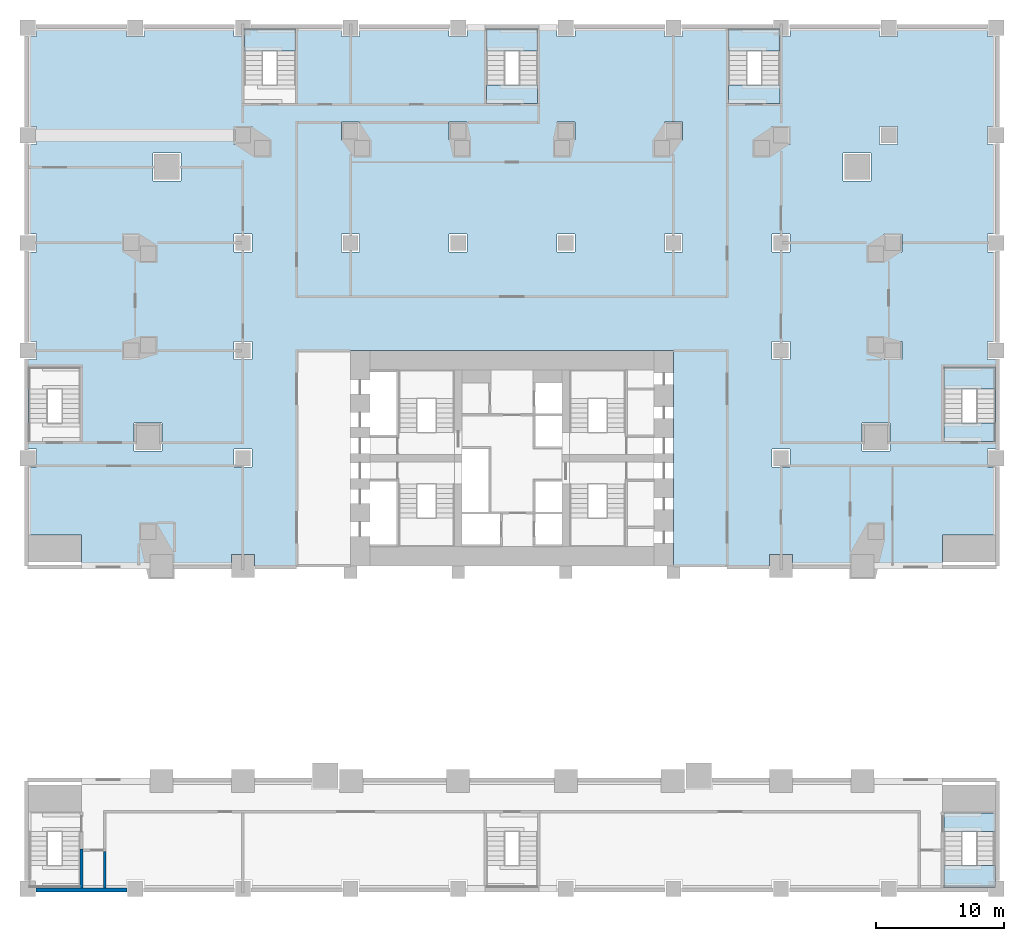
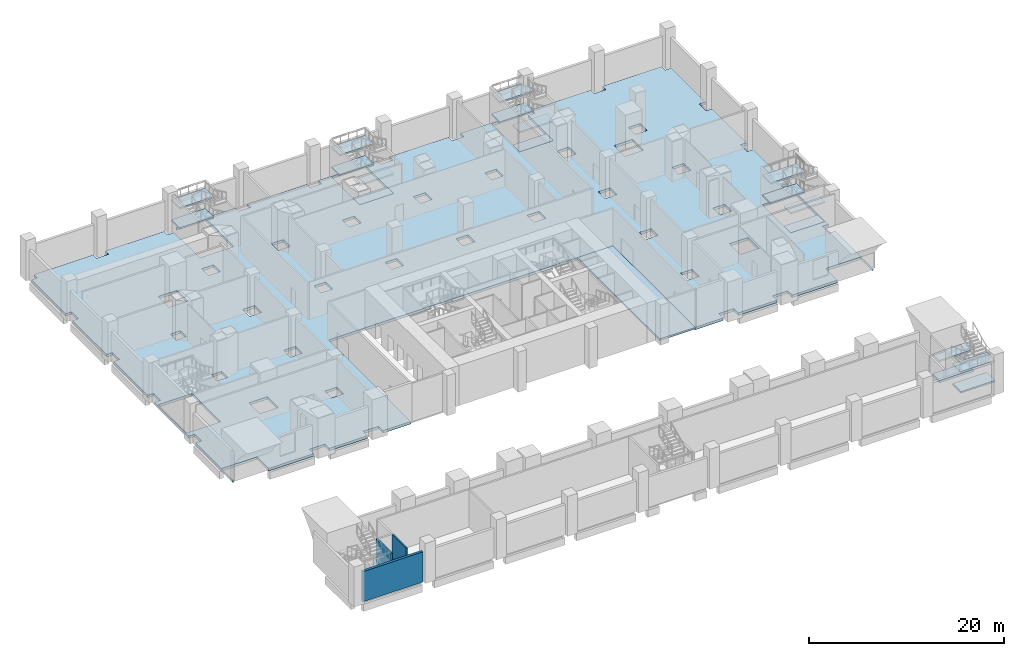
# One storey, part 3 of 16: 20 slabs, 3 walls, 5 elements without a shape of their own.
"""IFC4 building model written with IfcOpenShell, lengths in metres."""

from ifc_helpers import new_model, si_unit, direction, frame, frame_2d, origin, place, context, subcontext, project, spatial, polyline, rectangle, outline, extrude, material, layer, layer_set, type_object, element, aggregate, save


model = new_model("IFC4")

# Units and contexts
model_context = context("Model", 3, precision=1e-05, world=origin(), true_north=direction((0.0, 1.0)))
body_context = subcontext(model_context, "Body", "Model", "MODEL_VIEW")
ifc_project = project(units=[si_unit("LENGTHUNIT", "METRE"), si_unit("AREAUNIT", "SQUARE_METRE"), si_unit("VOLUMEUNIT", "CUBIC_METRE"), si_unit("PLANEANGLEUNIT", "RADIAN"), si_unit("MASSUNIT", "GRAM", prefix="KILO")], contexts=[model_context])

# Site, building, storey
site_placement = place(None, origin())
site = spatial("IfcSite", under=ifc_project, at=site_placement, CompositionType="ELEMENT")
building_placement = place(site_placement, origin())
building = spatial("IfcBuilding", under=site, at=building_placement, Name="Marenta Gate Hotel Tower", CompositionType="ELEMENT")
storey_placement = place(building_placement, frame((0.0, 0.0, 21.0)))
storey = spatial("IfcBuildingStorey", under=building, at=storey_placement, Name="L03", CompositionType="ELEMENT", Elevation=21.0)

# Slab
ifc_material_1 = material(Name="Concrete C40", Category="concrete")
ifc_layer_1 = layer(ifc_material_1, 0.219970703125)
ifc_layer_set_1 = layer_set([ifc_layer_1], Name="Concrete C40")
slab_type_1 = type_object("IfcSlabType", Name="Core floor slab 220", PredefinedType="FLOOR", material=ifc_layer_set_1)
slab_1_placement = place(storey_placement, frame((0.0, 0.0, -0.219970703125)))
element("IfcSlab", 1, at=slab_1_placement, inside=storey, type_object=slab_type_1, Name="L03-CF-1", PredefinedType="FLOOR", context=body_context, shape_type="SweptSolid", body=[
    extrude(outline(polyline([(12.60009765625, 0.0), (12.60009765625, 16.800048828125), (16.800048828125, 16.800048828125), (16.800048828125, 0.0), (12.60009765625, 0.0)])), origin(), (0.0, 0.0, 1.0), 0.219970703125),
])

# Stair, slabs
ifc_material_2 = material(Name="Concrete C40", Category="concrete")
stair_type = type_object("IfcStairType", Name="Podium exit stair 1430 wide", PredefinedType="HALF_TURN_STAIR", material=ifc_material_2)
stair_1_placement = place(storey_placement, origin())
stair_1 = element("IfcStair", 2, at=stair_1_placement, inside=storey, type_object=stair_type, Name="Podium exit stair 2", PredefinedType="HALF_TURN_STAIR")
ifc_material_3 = material(Name="Concrete C40", Category="concrete")
ifc_layer_2 = layer(ifc_material_3, 0.199951171875)
ifc_layer_set_2 = layer_set([ifc_layer_2], Name="Concrete C40")
slab_type_2 = type_object("IfcSlabType", Name="Core stair landing 200", PredefinedType="LANDING", material=ifc_layer_set_2)
slab_2_placement = place(storey_placement, frame((0.0, 0.0, 1.050048828125)))
slab_2 = element("IfcSlab", 3, at=slab_2_placement, type_object=slab_type_2, Name="SL-200 PX2 landing 1", PredefinedType="LANDING", context=body_context, shape_type="SweptSolid", body=[
    extrude(outline(polyline([(33.699951171875, -25.10009765625), (37.739990234375, -25.10009765625), (37.739990234375, -23.389892578125), (33.699951171875, -23.389892578125), (33.699951171875, -25.10009765625)])), origin(), (0.0, 0.0, 1.0), 0.199951171875),
])
slab_3_placement = place(storey_placement, frame((0.0, 0.0, 2.300048828125)))
slab_3 = element("IfcSlab", 4, at=slab_3_placement, type_object=slab_type_2, Name="SL-200 PX2 landing 2", PredefinedType="LANDING", context=body_context, shape_type="SweptSolid", body=[
    extrude(outline(polyline([(33.699951171875, -20.72998046875), (37.739990234375, -20.72998046875), (37.739990234375, -19.300048828125), (33.699951171875, -19.300048828125), (33.699951171875, -20.72998046875)])), origin(), (0.0, 0.0, 1.0), 0.199951171875),
])
slab_4_placement = place(storey_placement, frame((0.0, 0.0, 3.550048828125)))
slab_4 = element("IfcSlab", 5, at=slab_4_placement, type_object=slab_type_2, Name="SL-200 PX2 landing 3", PredefinedType="LANDING", context=body_context, shape_type="SweptSolid", body=[
    extrude(outline(polyline([(33.699951171875, -25.10009765625), (37.739990234375, -25.10009765625), (37.739990234375, -23.389892578125), (33.699951171875, -23.389892578125), (33.699951171875, -25.10009765625)])), origin(), (0.0, 0.0, 1.0), 0.199951171875),
])
aggregate(stair_1, [slab_2, slab_3, slab_4])

stair_2_placement = place(storey_placement, origin())
stair_2 = element("IfcStair", 6, at=stair_2_placement, inside=storey, type_object=stair_type, Name="Podium exit stair 3", PredefinedType="HALF_TURN_STAIR")
slab_5_placement = place(storey_placement, frame((0.0, 0.0, 1.050048828125)))
slab_5 = element("IfcSlab", 7, at=slab_5_placement, type_object=slab_type_2, Name="SL-200 PX3 landing 1", PredefinedType="LANDING", context=body_context, shape_type="SweptSolid", body=[
    extrude(outline(polyline([(-20.89990234375, 40.18994140625), (-16.89990234375, 40.18994140625), (-16.89990234375, 41.89990234375), (-20.89990234375, 41.89990234375), (-20.89990234375, 40.18994140625)])), origin(), (0.0, 0.0, 1.0), 0.199951171875),
])
slab_6_placement = place(storey_placement, frame((0.0, 0.0, 3.550048828125)))
slab_6 = element("IfcSlab", 8, at=slab_6_placement, type_object=slab_type_2, Name="SL-200 PX3 landing 3", PredefinedType="LANDING", context=body_context, shape_type="SweptSolid", body=[
    extrude(outline(polyline([(-20.89990234375, 40.18994140625), (-16.89990234375, 40.18994140625), (-16.89990234375, 41.89990234375), (-20.89990234375, 41.89990234375), (-20.89990234375, 40.18994140625)])), origin(), (0.0, 0.0, 1.0), 0.199951171875),
])
aggregate(stair_2, [slab_5, slab_6])

stair_3_placement = place(storey_placement, origin())
stair_3 = element("IfcStair", 9, at=stair_3_placement, inside=storey, type_object=stair_type, Name="Podium exit stair 4", PredefinedType="HALF_TURN_STAIR")
slab_7_placement = place(storey_placement, frame((0.0, 0.0, 1.050048828125)))
slab_7 = element("IfcSlab", 10, at=slab_7_placement, type_object=slab_type_2, Name="SL-200 PX4 landing 1", PredefinedType="LANDING", context=body_context, shape_type="SweptSolid", body=[
    extrude(outline(polyline([(16.89990234375, 40.18994140625), (20.89990234375, 40.18994140625), (20.89990234375, 41.89990234375), (16.89990234375, 41.89990234375), (16.89990234375, 40.18994140625)])), origin(), (0.0, 0.0, 1.0), 0.199951171875),
])
slab_8_placement = place(storey_placement, frame((0.0, 0.0, 2.300048828125)))
slab_8 = element("IfcSlab", 11, at=slab_8_placement, type_object=slab_type_2, Name="SL-200 PX4 landing 2", PredefinedType="LANDING", context=body_context, shape_type="SweptSolid", body=[
    extrude(outline(polyline([(16.89990234375, 36.10009765625), (20.89990234375, 36.10009765625), (20.89990234375, 37.530029296875), (16.89990234375, 37.530029296875), (16.89990234375, 36.10009765625)])), origin(), (0.0, 0.0, 1.0), 0.199951171875),
])
slab_9_placement = place(storey_placement, frame((0.0, 0.0, 3.550048828125)))
slab_9 = element("IfcSlab", 12, at=slab_9_placement, type_object=slab_type_2, Name="SL-200 PX4 landing 3", PredefinedType="LANDING", context=body_context, shape_type="SweptSolid", body=[
    extrude(outline(polyline([(16.89990234375, 40.18994140625), (20.89990234375, 40.18994140625), (20.89990234375, 41.89990234375), (16.89990234375, 41.89990234375), (16.89990234375, 40.18994140625)])), origin(), (0.0, 0.0, 1.0), 0.199951171875),
])
aggregate(stair_3, [slab_7, slab_8, slab_9])

stair_4_placement = place(storey_placement, origin())
stair_4 = element("IfcStair", 13, at=stair_4_placement, inside=storey, type_object=stair_type, Name="Podium exit stair 7", PredefinedType="HALF_TURN_STAIR")
slab_10_placement = place(storey_placement, frame((0.0, 0.0, 1.050048828125)))
slab_10 = element("IfcSlab", 14, at=slab_10_placement, type_object=slab_type_2, Name="SL-200 PX7 landing 1", PredefinedType="LANDING", context=body_context, shape_type="SweptSolid", body=[
    extrude(outline(polyline([(33.699951171875, 13.7900390625), (37.739990234375, 13.7900390625), (37.739990234375, 15.5), (33.699951171875, 15.5), (33.699951171875, 13.7900390625)])), origin(), (0.0, 0.0, 1.0), 0.199951171875),
])
slab_11_placement = place(storey_placement, frame((0.0, 0.0, 2.300048828125)))
slab_11 = element("IfcSlab", 15, at=slab_11_placement, type_object=slab_type_2, Name="SL-200 PX7 landing 2", PredefinedType="LANDING", context=body_context, shape_type="SweptSolid", body=[
    extrude(outline(polyline([(33.699951171875, 9.699951171875), (37.739990234375, 9.699951171875), (37.739990234375, 11.1298828125), (33.699951171875, 11.1298828125), (33.699951171875, 9.699951171875)])), origin(), (0.0, 0.0, 1.0), 0.199951171875),
])
slab_12_placement = place(storey_placement, frame((0.0, 0.0, 3.550048828125)))
slab_12 = element("IfcSlab", 16, at=slab_12_placement, type_object=slab_type_2, Name="SL-200 PX7 landing 3", PredefinedType="LANDING", context=body_context, shape_type="SweptSolid", body=[
    extrude(outline(polyline([(33.699951171875, 13.7900390625), (37.739990234375, 13.7900390625), (37.739990234375, 15.5), (33.699951171875, 15.5), (33.699951171875, 13.7900390625)])), origin(), (0.0, 0.0, 1.0), 0.199951171875),
])
aggregate(stair_4, [slab_10, slab_11, slab_12])

stair_5_placement = place(storey_placement, origin())
stair_5 = element("IfcStair", 17, at=stair_5_placement, inside=storey, type_object=stair_type, Name="Podium exit stair 8", PredefinedType="HALF_TURN_STAIR")
slab_13_placement = place(storey_placement, frame((0.0, 0.0, 1.050048828125)))
slab_13 = element("IfcSlab", 18, at=slab_13_placement, type_object=slab_type_2, Name="SL-200 PX8 landing 1", PredefinedType="LANDING", context=body_context, shape_type="SweptSolid", body=[
    extrude(outline(polyline([(-2.0, 40.18994140625), (2.0, 40.18994140625), (2.0, 41.89990234375), (-2.0, 41.89990234375), (-2.0, 40.18994140625)])), origin(), (0.0, 0.0, 1.0), 0.199951171875),
])
slab_14_placement = place(storey_placement, frame((0.0, 0.0, 2.300048828125)))
slab_14 = element("IfcSlab", 19, at=slab_14_placement, type_object=slab_type_2, Name="SL-200 PX8 landing 2", PredefinedType="LANDING", context=body_context, shape_type="SweptSolid", body=[
    extrude(outline(polyline([(-2.0, 36.10009765625), (2.0, 36.10009765625), (2.0, 37.530029296875), (-2.0, 37.530029296875), (-2.0, 36.10009765625)])), origin(), (0.0, 0.0, 1.0), 0.199951171875),
])
slab_15_placement = place(storey_placement, frame((0.0, 0.0, 3.550048828125)))
slab_15 = element("IfcSlab", 20, at=slab_15_placement, type_object=slab_type_2, Name="SL-200 PX8 landing 3", PredefinedType="LANDING", context=body_context, shape_type="SweptSolid", body=[
    extrude(outline(polyline([(-2.0, 40.18994140625), (2.0, 40.18994140625), (2.0, 41.89990234375), (-2.0, 41.89990234375), (-2.0, 40.18994140625)])), origin(), (0.0, 0.0, 1.0), 0.199951171875),
])
aggregate(stair_5, [slab_13, slab_14, slab_15])

# Slabs
ifc_material_4 = material(Name="Concrete C40", Category="concrete")
ifc_layer_3 = layer(ifc_material_4, 0.320068359375)
ifc_layer_set_3 = layer_set([ifc_layer_3], Name="Concrete C40")
slab_type_3 = type_object("IfcSlabType", Name="Podium flat slab 320 C40", PredefinedType="FLOOR", material=ifc_layer_set_3)
slab_16_placement = place(storey_placement, frame((0.0, 0.0, -0.320068359375)))
element("IfcSlab", 21, at=slab_16_placement, inside=storey, type_object=slab_type_3, Name="PS1 L03-PSL-1", PredefinedType="FLOOR", context=body_context, shape_type="SweptSolid", body=[
    extrude(outline(polyline([(37.800048828125, 34.300048828125), (37.800048828125, 41.300048828125), (37.10009765625, 41.300048828125), (37.10009765625, 42.0), (30.10009765625, 42.0), (30.10009765625, 41.300048828125), (28.699951171875, 41.300048828125), (28.699951171875, 42.0), (21.699951171875, 42.0), (21.699951171875, 41.300048828125), (20.89990234375, 41.300048828125), (20.89990234375, 36.10009765625), (16.89990234375, 36.10009765625), (16.89990234375, 41.89990234375), (20.300048828125, 41.89990234375), (20.300048828125, 42.0), (13.300048828125, 42.0), (13.300048828125, 41.300048828125), (11.89990234375, 41.300048828125), (11.89990234375, 42.0), (4.89990234375, 42.0), (4.89990234375, 41.300048828125), (3.5, 41.300048828125), (3.5, 42.0), (-3.5, 42.0), (-3.5, 41.300048828125), (-4.89990234375, 41.300048828125), (-4.89990234375, 42.0), (-11.89990234375, 42.0), (-11.89990234375, 41.300048828125), (-13.300048828125, 41.300048828125), (-13.300048828125, 42.0), (-20.300048828125, 42.0), (-20.300048828125, 41.89990234375), (-16.89990234375, 41.89990234375), (-16.89990234375, 36.10009765625), (-20.89990234375, 36.10009765625), (-20.89990234375, 41.300048828125), (-21.699951171875, 41.300048828125), (-21.699951171875, 42.0), (-28.699951171875, 42.0), (-28.699951171875, 41.300048828125), (-30.10009765625, 41.300048828125), (-30.10009765625, 42.0), (-37.10009765625, 42.0), (-37.10009765625, 41.300048828125), (-37.800048828125, 41.300048828125), (-37.800048828125, 34.300048828125), (-37.10009765625, 34.300048828125), (-37.10009765625, 32.89990234375), (-37.800048828125, 32.89990234375), (-37.800048828125, 25.89990234375), (-37.10009765625, 25.89990234375), (-37.10009765625, 24.5), (-37.800048828125, 24.5), (-37.800048828125, 17.5), (-37.10009765625, 17.5), (-37.10009765625, 16.10009765625), (-37.800048828125, 16.10009765625), (-37.800048828125, 9.10009765625), (-37.10009765625, 9.10009765625), (-37.10009765625, 7.699951171875), (-37.800048828125, 7.699951171875), (-37.800048828125, 0.0), (-37.7900390625, 0.0), (-37.7900390625, 2.39990234375), (-33.60009765625, 2.39990234375), (-33.60009765625, 0.0), (-28.262939453125, 0.0), (-28.262939453125, 0.89990234375), (-26.462890625, 0.89990234375), (-26.462890625, 0.0), (-21.89990234375, 0.0), (-21.89990234375, 0.89990234375), (-20.10009765625, 0.89990234375), (-20.10009765625, 0.0), (-16.800048828125, 0.0), (-16.800048828125, 16.800048828125), (16.800048828125, 16.800048828125), (16.800048828125, 0.0), (20.10009765625, 0.0), (20.10009765625, 0.89990234375), (21.89990234375, 0.89990234375), (21.89990234375, 0.0), (26.462890625, 0.0), (26.462890625, 0.89990234375), (28.262939453125, 0.89990234375), (28.262939453125, 0.0), (33.60009765625, 0.0), (33.60009765625, 2.39990234375), (37.7900390625, 2.39990234375), (37.7900390625, 0.0), (37.800048828125, 0.0), (37.800048828125, 7.699951171875), (37.10009765625, 7.699951171875), (37.10009765625, 9.10009765625), (37.800048828125, 9.10009765625), (37.800048828125, 16.10009765625), (37.10009765625, 16.10009765625), (37.10009765625, 17.5), (37.800048828125, 17.5), (37.800048828125, 24.5), (37.10009765625, 24.5), (37.10009765625, 25.89990234375), (37.800048828125, 25.89990234375), (37.800048828125, 32.89990234375), (37.10009765625, 32.89990234375), (37.10009765625, 34.300048828125), (37.800048828125, 34.300048828125)]), holes=[polyline([(33.699951171875, 9.699951171875), (33.699951171875, 15.5), (37.699951171875, 15.5), (37.699951171875, 9.699951171875), (33.699951171875, 9.699951171875)]), polyline([(29.02001953125, 24.5), (29.02001953125, 25.89990234375), (30.419921875, 25.89990234375), (30.419921875, 24.5), (29.02001953125, 24.5)]), polyline([(29.02001953125, 17.5), (30.419921875, 17.5), (30.419921875, 16.10009765625), (29.02001953125, 16.10009765625), (29.02001953125, 17.5)]), polyline([(28.699951171875, 32.89990234375), (28.699951171875, 34.300048828125), (30.10009765625, 34.300048828125), (30.10009765625, 32.89990234375), (28.699951171875, 32.89990234375)]), polyline([(27.300048828125, 8.949951171875), (27.300048828125, 11.14990234375), (29.5, 11.14990234375), (29.5, 8.949951171875), (27.300048828125, 8.949951171875)]), polyline([(25.83544921875, 32.235595703125), (28.035400390625, 32.235595703125), (28.035400390625, 30.035400390625), (25.83544921875, 30.035400390625), (25.83544921875, 32.235595703125)]), polyline([(20.300048828125, 34.300048828125), (21.699951171875, 34.300048828125), (21.699951171875, 32.89990234375), (20.300048828125, 32.89990234375), (20.300048828125, 34.300048828125)]), polyline([(20.300048828125, 24.5), (20.300048828125, 25.89990234375), (21.699951171875, 25.89990234375), (21.699951171875, 24.5), (20.300048828125, 24.5)]), polyline([(20.300048828125, 16.10009765625), (20.300048828125, 17.5), (21.699951171875, 17.5), (21.699951171875, 16.10009765625), (20.300048828125, 16.10009765625)]), polyline([(20.300048828125, 7.699951171875), (20.300048828125, 9.10009765625), (21.699951171875, 9.10009765625), (21.699951171875, 7.699951171875), (20.300048828125, 7.699951171875)]), polyline([(11.89990234375, 33.219970703125), (11.89990234375, 34.6201171875), (13.300048828125, 34.6201171875), (13.300048828125, 33.219970703125), (11.89990234375, 33.219970703125)]), polyline([(11.89990234375, 25.89990234375), (13.300048828125, 25.89990234375), (13.300048828125, 24.5), (11.89990234375, 24.5), (11.89990234375, 25.89990234375)]), polyline([(3.5, 24.5), (3.5, 25.89990234375), (4.89990234375, 25.89990234375), (4.89990234375, 24.5), (3.5, 24.5)]), polyline([(3.5, 33.219970703125), (3.5, 34.6201171875), (4.89990234375, 34.6201171875), (4.89990234375, 33.219970703125), (3.5, 33.219970703125)]), polyline([(-2.0, 41.89990234375), (2.0, 41.89990234375), (2.0, 36.10009765625), (-2.0, 36.10009765625), (-2.0, 41.89990234375)]), polyline([(-4.89990234375, 34.6201171875), (-3.5, 34.6201171875), (-3.5, 33.219970703125), (-4.89990234375, 33.219970703125), (-4.89990234375, 34.6201171875)]), polyline([(-4.89990234375, 25.89990234375), (-3.5, 25.89990234375), (-3.5, 24.5), (-4.89990234375, 24.5), (-4.89990234375, 25.89990234375)]), polyline([(-13.300048828125, 33.219970703125), (-13.300048828125, 34.6201171875), (-11.89990234375, 34.6201171875), (-11.89990234375, 33.219970703125), (-13.300048828125, 33.219970703125)]), polyline([(-13.300048828125, 24.5), (-13.300048828125, 25.89990234375), (-11.89990234375, 25.89990234375), (-11.89990234375, 24.5), (-13.300048828125, 24.5)]), polyline([(-21.699951171875, 32.89990234375), (-21.699951171875, 34.300048828125), (-20.300048828125, 34.300048828125), (-20.300048828125, 32.89990234375), (-21.699951171875, 32.89990234375)]), polyline([(-21.699951171875, 25.89990234375), (-20.300048828125, 25.89990234375), (-20.300048828125, 24.5), (-21.699951171875, 24.5), (-21.699951171875, 25.89990234375)]), polyline([(-21.699951171875, 16.10009765625), (-21.699951171875, 17.5), (-20.300048828125, 17.5), (-20.300048828125, 16.10009765625), (-21.699951171875, 16.10009765625)]), polyline([(-21.699951171875, 7.699951171875), (-21.699951171875, 9.10009765625), (-20.300048828125, 9.10009765625), (-20.300048828125, 7.699951171875), (-21.699951171875, 7.699951171875)]), polyline([(-28.035400390625, 30.035400390625), (-28.035400390625, 32.235595703125), (-25.83544921875, 32.235595703125), (-25.83544921875, 30.035400390625), (-28.035400390625, 30.035400390625)]), polyline([(-29.5, 11.14990234375), (-27.300048828125, 11.14990234375), (-27.300048828125, 8.949951171875), (-29.5, 8.949951171875), (-29.5, 11.14990234375)]), polyline([(-30.320068359375, 25.800048828125), (-29.1201171875, 25.800048828125), (-29.1201171875, 24.60009765625), (-30.320068359375, 24.60009765625), (-30.320068359375, 25.800048828125)]), polyline([(-30.320068359375, 16.199951171875), (-30.320068359375, 17.39990234375), (-29.1201171875, 17.39990234375), (-29.1201171875, 16.199951171875), (-30.320068359375, 16.199951171875)]), polyline([(-37.699951171875, 15.5), (-33.699951171875, 15.5), (-33.699951171875, 9.699951171875), (-37.699951171875, 9.699951171875), (-37.699951171875, 15.5)])]), origin(), (0.0, 0.0, 1.0), 0.320068359375),
])
ifc_material_5 = material(Name="Concrete C40", Category="concrete")
ifc_layer_4 = layer(ifc_material_5, 0.300048828125)
ifc_layer_set_4 = layer_set([ifc_layer_4], Name="Concrete C40")
slab_type_4 = type_object("IfcSlabType", Name="Stair floor landing slab 300", PredefinedType="FLOOR", material=ifc_layer_set_4)
slab_17_placement = place(storey_placement, frame((0.0, 0.0, -0.300048828125)))
element("IfcSlab", 22, at=slab_17_placement, inside=storey, type_object=slab_type_4, Name="L03-CL-PX2-1", PredefinedType="FLOOR", context=body_context, shape_type="SweptSolid", body=[
    extrude(outline(polyline([(37.699951171875, -20.72998046875), (33.699951171875, -20.72998046875), (33.699951171875, -19.300048828125), (37.699951171875, -19.300048828125), (37.699951171875, -20.72998046875)])), origin(), (0.0, 0.0, 1.0), 0.300048828125),
])
slab_18_placement = place(storey_placement, frame((0.0, 0.0, -0.300048828125)))
element("IfcSlab", 23, at=slab_18_placement, inside=storey, type_object=slab_type_4, Name="L03-CL-PX4-1", PredefinedType="FLOOR", context=body_context, shape_type="SweptSolid", body=[
    extrude(outline(polyline([(20.89990234375, 36.10009765625), (16.89990234375, 36.10009765625), (16.89990234375, 37.530029296875), (20.89990234375, 37.530029296875), (20.89990234375, 36.10009765625)])), origin(), (0.0, 0.0, 1.0), 0.300048828125),
])
slab_19_placement = place(storey_placement, frame((0.0, 0.0, -0.300048828125)))
element("IfcSlab", 24, at=slab_19_placement, inside=storey, type_object=slab_type_4, Name="L03-CL-PX7-1", PredefinedType="FLOOR", context=body_context, shape_type="SweptSolid", body=[
    extrude(outline(polyline([(37.699951171875, 9.699951171875), (33.699951171875, 9.699951171875), (33.699951171875, 11.1298828125), (37.699951171875, 11.1298828125), (37.699951171875, 9.699951171875)])), origin(), (0.0, 0.0, 1.0), 0.300048828125),
])
slab_20_placement = place(storey_placement, frame((0.0, 0.0, -0.300048828125)))
element("IfcSlab", 25, at=slab_20_placement, inside=storey, type_object=slab_type_4, Name="L03-CL-PX8-1", PredefinedType="FLOOR", context=body_context, shape_type="SweptSolid", body=[
    extrude(outline(polyline([(2.0, 36.10009765625), (-2.0, 36.10009765625), (-2.0, 37.530029296875), (2.0, 37.530029296875), (2.0, 36.10009765625)])), origin(), (0.0, 0.0, 1.0), 0.300048828125),
])

# Walls
ifc_material_6 = material(Name="Concrete C40 board-marked", Category="concrete")
ifc_layer_5 = layer(ifc_material_6, 0.300048828125)
ifc_layer_set_5 = layer_set([ifc_layer_5], Name="Concrete C40 board-marked")
wall_type_1 = type_object("IfcWallType", Name="Board-marked concrete wall 300 mm", PredefinedType="NOTDEFINED", material=ifc_layer_set_5)
wall_1_placement = place(storey_placement, frame((-37.159912109375, -25.2900390625, 0.0), z_axis=(0.0, 0.0, 1.0), x_axis=(1.0, 0.0, 0.0)))
element("IfcWall", 26, at=wall_1_placement, inside=storey, type_object=wall_type_1, Name="L03-CLD-SB-S000", PredefinedType="NOTDEFINED", context=body_context, shape_type="SweptSolid", body=[
    extrude(rectangle(XDim=7.119873046875, YDim=0.300048828125, at=frame_2d((3.56005859375, 0.0))), origin(), (0.0, 0.0, 1.0), 3.780029296875),
])
ifc_material_7 = material(Name="Concrete blockwork", Category="masonry")
ifc_layer_6 = layer(ifc_material_7, 0.199951171875)
ifc_layer_set_6 = layer_set([ifc_layer_6], Name="Concrete blockwork")
wall_type_2 = type_object("IfcWallType", Name="Room party wall 200 EI 120", PredefinedType="PARTITIONING", material=ifc_layer_set_6)
wall_2_placement = place(storey_placement, frame((-31.800048828125, -25.139892578125, 0.0), z_axis=(0.0, 0.0, 1.0), x_axis=(0.0, 1.0, 0.0)))
element("IfcWall", 27, at=wall_2_placement, inside=storey, type_object=wall_type_2, Name="L03-PTN-W074", PredefinedType="PARTITIONING", context=body_context, shape_type="SweptSolid", body=[
    extrude(rectangle(XDim=2.83984375, YDim=0.199951171875, at=frame_2d((1.419921875, 0.0))), origin(), (0.0, 0.0, 1.0), 4.679931640625),
])
ifc_material_8 = material(Name="Concrete blockwork", Category="masonry")
ifc_layer_7 = layer(ifc_material_8, 0.199951171875)
ifc_layer_set_7 = layer_set([ifc_layer_7], Name="Concrete blockwork")
wall_type_3 = type_object("IfcWallType", Name="Room party wall 200 REI 180", PredefinedType="PARTITIONING", material=ifc_layer_set_7)
wall_3_placement = place(storey_placement, frame((-33.60009765625, -25.139892578125, 0.0), z_axis=(0.0, 0.0, 1.0), x_axis=(0.0, 1.0, 0.0)))
element("IfcWall", 28, at=wall_3_placement, inside=storey, type_object=wall_type_3, Name="L03-PTN-W076", PredefinedType="PARTITIONING", context=body_context, shape_type="SweptSolid", body=[
    extrude(rectangle(XDim=3.039794921875, YDim=0.199951171875, at=frame_2d((1.52001953125, 0.0))), origin(), (0.0, 0.0, 1.0), 4.679931640625),
])

save(model, "model.ifc")
